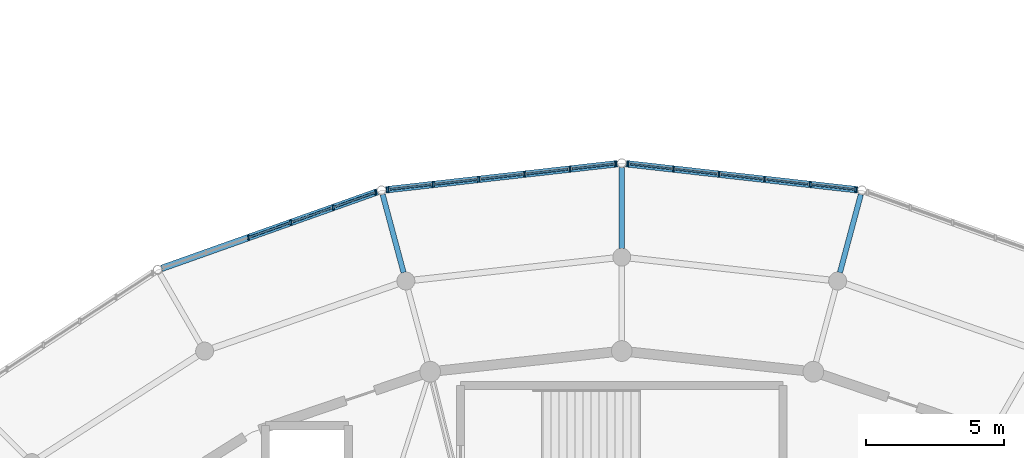
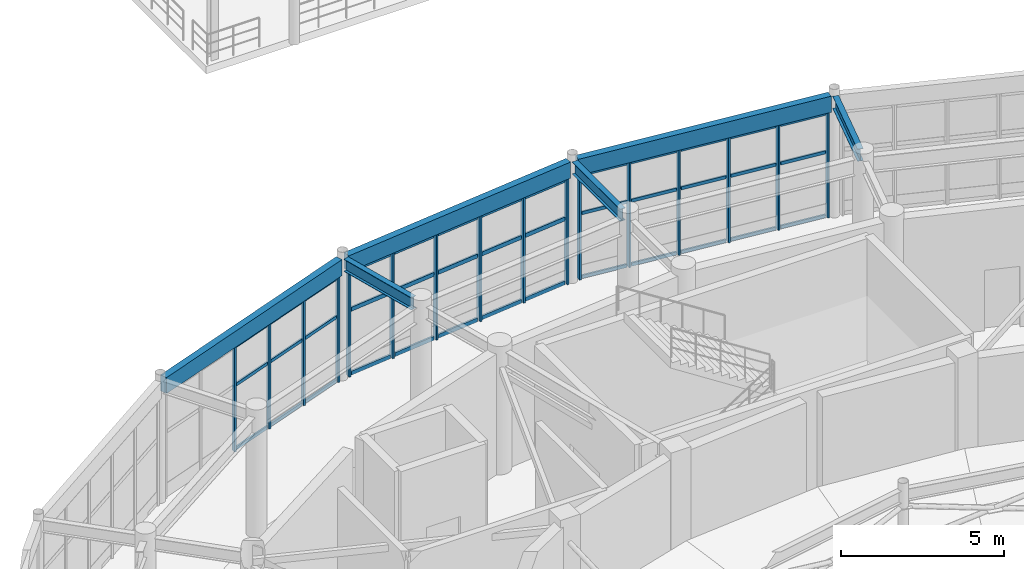
# One storey, part 60 of 144: 55 members, 6 beams, 3 elements without a shape of their own.
"""IFC4 building model written with IfcOpenShell, lengths in metres."""

from ifc_helpers import new_model, si_unit, direction, frame, origin, origin_2d, place, context, subcontext, project, spatial, rectangle, i_section, extrude, material, material_profile, profile_set, type_object, element, aggregate, save


model = new_model("IFC4")

# Units and contexts
model_context = context("Model", 3, precision=1e-05, world=origin(), true_north=direction((0.0, 1.0)))
body_context = subcontext(model_context, "Body", "Model", "MODEL_VIEW")
ifc_project = project(units=[si_unit("LENGTHUNIT", "METRE"), si_unit("AREAUNIT", "SQUARE_METRE"), si_unit("VOLUMEUNIT", "CUBIC_METRE"), si_unit("PLANEANGLEUNIT", "RADIAN"), si_unit("MASSUNIT", "GRAM", prefix="KILO")], contexts=[model_context])

# Site, building, storey
site_placement = place(None, origin())
site = spatial("IfcSite", under=ifc_project, at=site_placement, CompositionType="ELEMENT")
building_placement = place(site_placement, origin())
building = spatial("IfcBuilding", under=site, at=building_placement, Name="Cinderbank Siding Concert Hall", CompositionType="ELEMENT")
storey_placement = place(building_placement, frame((0.0, 0.0, 5.39990234375)))
storey = spatial("IfcBuildingStorey", under=building, at=storey_placement, Name="L02", CompositionType="ELEMENT", Elevation=5.39990234375)

# Beams
ifc_material_1 = material(Name="Structural steel AS/NZS 3679.1 Grade 350 (340 MPa)", Category="steel")
ifc_material_profile_1 = material_profile(ifc_material_1, i_section(OverallWidth=0.19091796875, OverallDepth=0.46044921875, WebThickness=0.010009765625, FlangeThickness=0.01611328125, at=origin_2d()), Name="460UB82.1", Category="LoadBearing")
ifc_profile_set_1 = profile_set([ifc_material_profile_1], Name="Structural steel AS/NZS 3679.1 Grade 350 (340 MPa)")
beam_type_1 = type_object("IfcBeamType", Name="BM-UB460H 460UB82.1", PredefinedType="BEAM", material=ifc_profile_set_1)
for number, where, z_axis, x_axis, name in (
    (1, (129.898193359375, 68.8408203125, 4.331787109375), (0.258897184534, 0.965904885504, 0.0), (-0.965904885504, 0.258897184534, 0.0), "L02 Beam BM-UB460H #526"),
    (2, (122.0, 69.717041015625, 4.331787109375), (0.0, 1.0, 0.0), (-1.0, 0.0, 0.0), "L02 Beam BM-UB460H #527"),
    (3, (114.101806640625, 68.8408203125, 4.331787109375), (-0.258897184534, 0.965904885504, 0.0), (-0.965904885504, -0.258897184534, 0.0), "L02 Beam BM-UB460H #528"),
):
    element("IfcBeam", number, at=place(storey_placement, frame(where, z_axis=z_axis, x_axis=x_axis)), inside=storey, type_object=beam_type_1, Name=name, PredefinedType="BEAM", context=body_context, shape_type="SweptSolid", body=[
        extrude(i_section(OverallWidth=0.19091796875, OverallDepth=0.46044921875, WebThickness=0.010009765625, FlangeThickness=0.01611328125, at=origin_2d()), origin(), (0.0, 0.0, 1.0), 2.928955078125),
    ])

# Curtain wall, members
ifc_material_2 = material(Name="Anodised aluminium alloy 6063-T6", Category="aluminium")
curtain_wall_type_1 = type_object("IfcCurtainWallType", Name="CW-06 Unitised Acoustic Curtain Wall 7600x3800", PredefinedType="NOTDEFINED", material=ifc_material_2)
curtain_wall_1_placement = place(storey_placement, origin())
curtain_wall_1 = element("IfcCurtainWall", 4, at=curtain_wall_1_placement, inside=storey, type_object=curtain_wall_type_1, Name="L02 Curtain Wall CW-06 #6", PredefinedType="NOTDEFINED")
ifc_material_profile_2 = material_profile(ifc_material_2, rectangle(XDim=0.06005859375, YDim=0.159912109375, at=origin_2d()), Name="ALU-MULL-60x160", Category="LoadBearing")
ifc_profile_set_2 = profile_set([ifc_material_profile_2], Name="Anodised aluminium alloy 6063-T6")
member_type_1 = type_object("IfcMemberType", Name="CW-ML1 Mullion 60x160", PredefinedType="MULLION", material=ifc_profile_set_2)
member_1_placement = place(storey_placement, frame((130.470703125, 71.843994140625, 0.0), z_axis=(0.0, 0.0, 1.0), x_axis=(1.0, 0.0, 0.0)))
member_1 = element("IfcMember", 5, at=member_1_placement, type_object=member_type_1, Name="CW-L02-006 Mullion 0", PredefinedType="MULLION", context=body_context, shape_type="SweptSolid", body=[
    extrude(rectangle(XDim=0.06005859375, YDim=0.159912109375, at=origin_2d()), origin(), (0.0, 0.0, 1.0), 3.947021484375),
])
member_2_placement = place(storey_placement, frame((128.82177734375, 72.0302734375, 0.0), z_axis=(0.0, 0.0, 1.0), x_axis=(1.0, 0.0, 0.0)))
member_2 = element("IfcMember", 6, at=member_2_placement, type_object=member_type_1, Name="CW-L02-006 Mullion 1", PredefinedType="MULLION", context=body_context, shape_type="SweptSolid", body=[
    extrude(rectangle(XDim=0.06005859375, YDim=0.159912109375, at=origin_2d()), origin(), (0.0, 0.0, 1.0), 3.947021484375),
])
member_3_placement = place(storey_placement, frame((127.172607421875, 72.21630859375, 0.0), z_axis=(0.0, 0.0, 1.0), x_axis=(1.0, 0.0, 0.0)))
member_3 = element("IfcMember", 7, at=member_3_placement, type_object=member_type_1, Name="CW-L02-006 Mullion 2", PredefinedType="MULLION", context=body_context, shape_type="SweptSolid", body=[
    extrude(rectangle(XDim=0.06005859375, YDim=0.159912109375, at=origin_2d()), origin(), (0.0, 0.0, 1.0), 3.947021484375),
])
member_4_placement = place(storey_placement, frame((125.523681640625, 72.40234375, 0.0), z_axis=(0.0, 0.0, 1.0), x_axis=(1.0, 0.0, 0.0)))
member_4 = element("IfcMember", 8, at=member_4_placement, type_object=member_type_1, Name="CW-L02-006 Mullion 3", PredefinedType="MULLION", context=body_context, shape_type="SweptSolid", body=[
    extrude(rectangle(XDim=0.06005859375, YDim=0.159912109375, at=origin_2d()), origin(), (0.0, 0.0, 1.0), 3.947021484375),
])
member_5_placement = place(storey_placement, frame((123.87451171875, 72.58837890625, 0.0), z_axis=(0.0, 0.0, 1.0), x_axis=(1.0, 0.0, 0.0)))
member_5 = element("IfcMember", 9, at=member_5_placement, type_object=member_type_1, Name="CW-L02-006 Mullion 4", PredefinedType="MULLION", context=body_context, shape_type="SweptSolid", body=[
    extrude(rectangle(XDim=0.06005859375, YDim=0.159912109375, at=origin_2d()), origin(), (0.0, 0.0, 1.0), 3.947021484375),
])
member_6_placement = place(storey_placement, frame((122.2255859375, 72.774658203125, 0.0), z_axis=(0.0, 0.0, 1.0), x_axis=(1.0, 0.0, 0.0)))
member_6 = element("IfcMember", 10, at=member_6_placement, type_object=member_type_1, Name="CW-L02-006 Mullion 5", PredefinedType="MULLION", context=body_context, shape_type="SweptSolid", body=[
    extrude(rectangle(XDim=0.06005859375, YDim=0.159912109375, at=origin_2d()), origin(), (0.0, 0.0, 1.0), 3.947021484375),
])

curtain_wall_type_2 = type_object("IfcCurtainWallType", Name="CW-08 Unitised Acoustic Curtain Wall 6400x3800", PredefinedType="NOTDEFINED", material=ifc_material_2)
curtain_wall_2_placement = place(storey_placement, origin())
curtain_wall_2 = element("IfcCurtainWall", 11, at=curtain_wall_2_placement, inside=storey, type_object=curtain_wall_type_2, Name="L02 Curtain Wall CW-08 #8", PredefinedType="NOTDEFINED")
member_7_placement = place(storey_placement, frame((113.08984375, 71.742919921875, 0.0), z_axis=(0.0, 0.0, 1.0), x_axis=(1.0, 0.0, 0.0)))
member_7 = element("IfcMember", 12, at=member_7_placement, type_object=member_type_1, Name="CW-L02-008 Mullion 0", PredefinedType="MULLION", context=body_context, shape_type="SweptSolid", body=[
    extrude(rectangle(XDim=0.06005859375, YDim=0.159912109375, at=origin_2d()), origin(), (0.0, 0.0, 1.0), 3.947021484375),
])
member_8_placement = place(storey_placement, frame((111.5546875, 71.19775390625, 0.0), z_axis=(0.0, 0.0, 1.0), x_axis=(1.0, 0.0, 0.0)))
member_8 = element("IfcMember", 13, at=member_8_placement, type_object=member_type_1, Name="CW-L02-008 Mullion 1", PredefinedType="MULLION", context=body_context, shape_type="SweptSolid", body=[
    extrude(rectangle(XDim=0.06005859375, YDim=0.159912109375, at=origin_2d()), origin(), (0.0, 0.0, 1.0), 3.947021484375),
])
member_9_placement = place(storey_placement, frame((110.019287109375, 70.652587890625, 0.0), z_axis=(0.0, 0.0, 1.0), x_axis=(1.0, 0.0, 0.0)))
member_9 = element("IfcMember", 14, at=member_9_placement, type_object=member_type_1, Name="CW-L02-008 Mullion 2", PredefinedType="MULLION", context=body_context, shape_type="SweptSolid", body=[
    extrude(rectangle(XDim=0.06005859375, YDim=0.159912109375, at=origin_2d()), origin(), (0.0, 0.0, 1.0), 3.947021484375),
])
member_10_placement = place(storey_placement, frame((108.484375, 70.107666015625, 0.0), z_axis=(0.0, 0.0, 1.0), x_axis=(1.0, 0.0, 0.0)))
member_10 = element("IfcMember", 15, at=member_10_placement, type_object=member_type_1, Name="CW-L02-008 Mullion 3", PredefinedType="MULLION", context=body_context, shape_type="SweptSolid", body=[
    extrude(rectangle(XDim=0.06005859375, YDim=0.159912109375, at=origin_2d()), origin(), (0.0, 0.0, 1.0), 3.947021484375),
])

curtain_wall_type_3 = type_object("IfcCurtainWallType", Name="CW-07 Unitised Acoustic Curtain Wall 7000x3800", PredefinedType="NOTDEFINED", material=ifc_material_2)
curtain_wall_3_placement = place(storey_placement, origin())
curtain_wall_3 = element("IfcCurtainWall", 16, at=curtain_wall_3_placement, inside=storey, type_object=curtain_wall_type_3, Name="L02 Curtain Wall CW-07 #7", PredefinedType="NOTDEFINED")
ifc_material_profile_3 = material_profile(ifc_material_2, rectangle(XDim=0.06494140625, YDim=0.199951171875, at=origin_2d()), Name="ALU-MULL-65x200", Category="LoadBearing")
ifc_profile_set_3 = profile_set([ifc_material_profile_3], Name="Anodised aluminium alloy 6063-T6")
member_type_2 = type_object("IfcMemberType", Name="CW-ML2 Mullion 65x200", PredefinedType="MULLION", material=ifc_profile_set_3)
member_11_placement = place(storey_placement, frame((121.7744140625, 72.774658203125, 0.0), z_axis=(0.0, 0.0, 1.0), x_axis=(1.0, 0.0, 0.0)))
member_11 = element("IfcMember", 17, at=member_11_placement, type_object=member_type_2, Name="CW-L02-007 Mullion 0", PredefinedType="MULLION", context=body_context, shape_type="SweptSolid", body=[
    extrude(rectangle(XDim=0.06494140625, YDim=0.199951171875, at=origin_2d()), origin(), (0.0, 0.0, 1.0), 3.947021484375),
])
member_12_placement = place(storey_placement, frame((120.12548828125, 72.58837890625, 0.0), z_axis=(0.0, 0.0, 1.0), x_axis=(1.0, 0.0, 0.0)))
member_12 = element("IfcMember", 18, at=member_12_placement, type_object=member_type_2, Name="CW-L02-007 Mullion 1", PredefinedType="MULLION", context=body_context, shape_type="SweptSolid", body=[
    extrude(rectangle(XDim=0.06494140625, YDim=0.199951171875, at=origin_2d()), origin(), (0.0, 0.0, 1.0), 3.947021484375),
])
member_13_placement = place(storey_placement, frame((118.476318359375, 72.40234375, 0.0), z_axis=(0.0, 0.0, 1.0), x_axis=(1.0, 0.0, 0.0)))
member_13 = element("IfcMember", 19, at=member_13_placement, type_object=member_type_2, Name="CW-L02-007 Mullion 2", PredefinedType="MULLION", context=body_context, shape_type="SweptSolid", body=[
    extrude(rectangle(XDim=0.06494140625, YDim=0.199951171875, at=origin_2d()), origin(), (0.0, 0.0, 1.0), 3.947021484375),
])
member_14_placement = place(storey_placement, frame((116.827392578125, 72.21630859375, 0.0), z_axis=(0.0, 0.0, 1.0), x_axis=(1.0, 0.0, 0.0)))
member_14 = element("IfcMember", 20, at=member_14_placement, type_object=member_type_2, Name="CW-L02-007 Mullion 3", PredefinedType="MULLION", context=body_context, shape_type="SweptSolid", body=[
    extrude(rectangle(XDim=0.06494140625, YDim=0.199951171875, at=origin_2d()), origin(), (0.0, 0.0, 1.0), 3.947021484375),
])
member_15_placement = place(storey_placement, frame((115.17822265625, 72.0302734375, 0.0), z_axis=(0.0, 0.0, 1.0), x_axis=(1.0, 0.0, 0.0)))
member_15 = element("IfcMember", 21, at=member_15_placement, type_object=member_type_2, Name="CW-L02-007 Mullion 4", PredefinedType="MULLION", context=body_context, shape_type="SweptSolid", body=[
    extrude(rectangle(XDim=0.06494140625, YDim=0.199951171875, at=origin_2d()), origin(), (0.0, 0.0, 1.0), 3.947021484375),
])
member_16_placement = place(storey_placement, frame((113.529296875, 71.843994140625, 0.0), z_axis=(0.0, 0.0, 1.0), x_axis=(1.0, 0.0, 0.0)))
member_16 = element("IfcMember", 22, at=member_16_placement, type_object=member_type_2, Name="CW-L02-007 Mullion 5", PredefinedType="MULLION", context=body_context, shape_type="SweptSolid", body=[
    extrude(rectangle(XDim=0.06494140625, YDim=0.199951171875, at=origin_2d()), origin(), (0.0, 0.0, 1.0), 3.947021484375),
])

# Member
ifc_material_profile_4 = material_profile(ifc_material_2, rectangle(XDim=0.06005859375, YDim=0.1201171875, at=origin_2d()), Name="ALU-TRAN-60x120", Category="LoadBearing")
ifc_profile_set_4 = profile_set([ifc_material_profile_4], Name="Anodised aluminium alloy 6063-T6")
member_type_3 = type_object("IfcMemberType", Name="CW-TR1 Transom 60x120", PredefinedType="USERDEFINED", material=ifc_profile_set_4)
member_17_placement = place(storey_placement, frame((130.38818359375, 71.853515625, 0.06005859375), z_axis=(-0.993690839164, 0.112153984151, 0.0), x_axis=(-0.112153984151, -0.993690839164, 0.0)))
member_17 = element("IfcMember", 23, at=member_17_placement, type_object=member_type_3, Name="CW-L02-006 Transom 0-0", ObjectType="TRANSOM", PredefinedType="USERDEFINED", context=body_context, shape_type="SweptSolid", body=[
    extrude(rectangle(XDim=0.06005859375, YDim=0.1201171875, at=origin_2d()), origin(), (0.0, 0.0, 1.0), 1.493408203125),
])

member_18_placement = place(storey_placement, frame((130.38818359375, 71.853515625, 2.447265625), z_axis=(-0.993690839164, 0.112153984151, 0.0), x_axis=(-0.112153984151, -0.993690839164, 0.0)))
member_18 = element("IfcMember", 24, at=member_18_placement, type_object=member_type_3, Name="CW-L02-006 Transom 0-1", ObjectType="TRANSOM", PredefinedType="USERDEFINED", context=body_context, shape_type="SweptSolid", body=[
    extrude(rectangle(XDim=0.06005859375, YDim=0.1201171875, at=origin_2d()), origin(), (0.0, 0.0, 1.0), 1.493408203125),
])

member_19_placement = place(storey_placement, frame((130.38818359375, 71.853515625, 3.88720703125), z_axis=(-0.993690839164, 0.112153984151, 0.0), x_axis=(-0.112153984151, -0.993690839164, 0.0)))
member_19 = element("IfcMember", 25, at=member_19_placement, type_object=member_type_3, Name="CW-L02-006 Transom 0-2", ObjectType="TRANSOM", PredefinedType="USERDEFINED", context=body_context, shape_type="SweptSolid", body=[
    extrude(rectangle(XDim=0.06005859375, YDim=0.1201171875, at=origin_2d()), origin(), (0.0, 0.0, 1.0), 1.493408203125),
])

member_20_placement = place(storey_placement, frame((128.7392578125, 72.03955078125, 0.06005859375), z_axis=(-0.993692895122, 0.112135766747, 0.0), x_axis=(-0.112135766747, -0.993692895122, 0.0)))
member_20 = element("IfcMember", 26, at=member_20_placement, type_object=member_type_3, Name="CW-L02-006 Transom 1-0", ObjectType="TRANSOM", PredefinedType="USERDEFINED", context=body_context, shape_type="SweptSolid", body=[
    extrude(rectangle(XDim=0.06005859375, YDim=0.1201171875, at=origin_2d()), origin(), (0.0, 0.0, 1.0), 1.49365234375),
])

member_21_placement = place(storey_placement, frame((128.7392578125, 72.03955078125, 2.447265625), z_axis=(-0.993692895122, 0.112135766747, 0.0), x_axis=(-0.112135766747, -0.993692895122, 0.0)))
member_21 = element("IfcMember", 27, at=member_21_placement, type_object=member_type_3, Name="CW-L02-006 Transom 1-1", ObjectType="TRANSOM", PredefinedType="USERDEFINED", context=body_context, shape_type="SweptSolid", body=[
    extrude(rectangle(XDim=0.06005859375, YDim=0.1201171875, at=origin_2d()), origin(), (0.0, 0.0, 1.0), 1.49365234375),
])

member_22_placement = place(storey_placement, frame((128.7392578125, 72.03955078125, 3.88720703125), z_axis=(-0.993692895122, 0.112135766747, 0.0), x_axis=(-0.112135766747, -0.993692895122, 0.0)))
member_22 = element("IfcMember", 28, at=member_22_placement, type_object=member_type_3, Name="CW-L02-006 Transom 1-2", ObjectType="TRANSOM", PredefinedType="USERDEFINED", context=body_context, shape_type="SweptSolid", body=[
    extrude(rectangle(XDim=0.06005859375, YDim=0.1201171875, at=origin_2d()), origin(), (0.0, 0.0, 1.0), 1.49365234375),
])

member_23_placement = place(storey_placement, frame((127.090087890625, 72.2255859375, 0.06005859375), z_axis=(-0.993690839164, 0.112153984151, 0.0), x_axis=(-0.112153984151, -0.993690839164, 0.0)))
member_23 = element("IfcMember", 29, at=member_23_placement, type_object=member_type_3, Name="CW-L02-006 Transom 2-0", ObjectType="TRANSOM", PredefinedType="USERDEFINED", context=body_context, shape_type="SweptSolid", body=[
    extrude(rectangle(XDim=0.06005859375, YDim=0.1201171875, at=origin_2d()), origin(), (0.0, 0.0, 1.0), 1.493408203125),
])

member_24_placement = place(storey_placement, frame((127.090087890625, 72.2255859375, 2.447265625), z_axis=(-0.993690839164, 0.112153984151, 0.0), x_axis=(-0.112153984151, -0.993690839164, 0.0)))
member_24 = element("IfcMember", 30, at=member_24_placement, type_object=member_type_3, Name="CW-L02-006 Transom 2-1", ObjectType="TRANSOM", PredefinedType="USERDEFINED", context=body_context, shape_type="SweptSolid", body=[
    extrude(rectangle(XDim=0.06005859375, YDim=0.1201171875, at=origin_2d()), origin(), (0.0, 0.0, 1.0), 1.493408203125),
])

member_25_placement = place(storey_placement, frame((127.090087890625, 72.2255859375, 3.88720703125), z_axis=(-0.993690839164, 0.112153984151, 0.0), x_axis=(-0.112153984151, -0.993690839164, 0.0)))
member_25 = element("IfcMember", 31, at=member_25_placement, type_object=member_type_3, Name="CW-L02-006 Transom 2-2", ObjectType="TRANSOM", PredefinedType="USERDEFINED", context=body_context, shape_type="SweptSolid", body=[
    extrude(rectangle(XDim=0.06005859375, YDim=0.1201171875, at=origin_2d()), origin(), (0.0, 0.0, 1.0), 1.493408203125),
])

member_26_placement = place(storey_placement, frame((125.441162109375, 72.41162109375, 0.06005859375), z_axis=(-0.993692895122, 0.112135766747, 0.0), x_axis=(-0.112135766747, -0.993692895122, 0.0)))
member_26 = element("IfcMember", 32, at=member_26_placement, type_object=member_type_3, Name="CW-L02-006 Transom 3-0", ObjectType="TRANSOM", PredefinedType="USERDEFINED", context=body_context, shape_type="SweptSolid", body=[
    extrude(rectangle(XDim=0.06005859375, YDim=0.1201171875, at=origin_2d()), origin(), (0.0, 0.0, 1.0), 1.49365234375),
])

member_27_placement = place(storey_placement, frame((125.441162109375, 72.41162109375, 2.447265625), z_axis=(-0.993692895122, 0.112135766747, 0.0), x_axis=(-0.112135766747, -0.993692895122, 0.0)))
member_27 = element("IfcMember", 33, at=member_27_placement, type_object=member_type_3, Name="CW-L02-006 Transom 3-1", ObjectType="TRANSOM", PredefinedType="USERDEFINED", context=body_context, shape_type="SweptSolid", body=[
    extrude(rectangle(XDim=0.06005859375, YDim=0.1201171875, at=origin_2d()), origin(), (0.0, 0.0, 1.0), 1.49365234375),
])

member_28_placement = place(storey_placement, frame((125.441162109375, 72.41162109375, 3.88720703125), z_axis=(-0.993692895122, 0.112135766747, 0.0), x_axis=(-0.112135766747, -0.993692895122, 0.0)))
member_28 = element("IfcMember", 34, at=member_28_placement, type_object=member_type_3, Name="CW-L02-006 Transom 3-2", ObjectType="TRANSOM", PredefinedType="USERDEFINED", context=body_context, shape_type="SweptSolid", body=[
    extrude(rectangle(XDim=0.06005859375, YDim=0.1201171875, at=origin_2d()), origin(), (0.0, 0.0, 1.0), 1.49365234375),
])

member_29_placement = place(storey_placement, frame((123.7919921875, 72.597900390625, 0.06005859375), z_axis=(-0.993709046729, 0.111992546398, 0.0), x_axis=(-0.111992546398, -0.993709046729, 0.0)))
member_29 = element("IfcMember", 35, at=member_29_placement, type_object=member_type_3, Name="CW-L02-006 Transom 4-0", ObjectType="TRANSOM", PredefinedType="USERDEFINED", context=body_context, shape_type="SweptSolid", body=[
    extrude(rectangle(XDim=0.06005859375, YDim=0.1201171875, at=origin_2d()), origin(), (0.0, 0.0, 1.0), 1.4931640625),
])

member_30_placement = place(storey_placement, frame((123.7919921875, 72.597900390625, 2.447265625), z_axis=(-0.993709046729, 0.111992546398, 0.0), x_axis=(-0.111992546398, -0.993709046729, 0.0)))
member_30 = element("IfcMember", 36, at=member_30_placement, type_object=member_type_3, Name="CW-L02-006 Transom 4-1", ObjectType="TRANSOM", PredefinedType="USERDEFINED", context=body_context, shape_type="SweptSolid", body=[
    extrude(rectangle(XDim=0.06005859375, YDim=0.1201171875, at=origin_2d()), origin(), (0.0, 0.0, 1.0), 1.4931640625),
])

member_31_placement = place(storey_placement, frame((123.7919921875, 72.597900390625, 3.88720703125), z_axis=(-0.993709046729, 0.111992546398, 0.0), x_axis=(-0.111992546398, -0.993709046729, 0.0)))
member_31 = element("IfcMember", 37, at=member_31_placement, type_object=member_type_3, Name="CW-L02-006 Transom 4-2", ObjectType="TRANSOM", PredefinedType="USERDEFINED", context=body_context, shape_type="SweptSolid", body=[
    extrude(rectangle(XDim=0.06005859375, YDim=0.1201171875, at=origin_2d()), origin(), (0.0, 0.0, 1.0), 1.4931640625),
])

aggregate(curtain_wall_1, [member_1, member_2, member_3, member_4, member_5, member_6, member_17, member_18, member_19, member_20, member_21, member_22, member_23, member_24, member_25, member_26, member_27, member_28, member_29, member_30, member_31])

member_32_placement = place(storey_placement, frame((113.01318359375, 71.715576171875, 0.06005859375), z_axis=(-0.942395579657, -0.334500480482, 0.0), x_axis=(0.334500480482, -0.942395579657, 0.0)))
member_32 = element("IfcMember", 38, at=member_32_placement, type_object=member_type_3, Name="CW-L02-008 Transom 0-0", ObjectType="TRANSOM", PredefinedType="USERDEFINED", context=body_context, shape_type="SweptSolid", body=[
    extrude(rectangle(XDim=0.06005859375, YDim=0.1201171875, at=origin_2d()), origin(), (0.0, 0.0, 1.0), 1.46630859375),
])

member_33_placement = place(storey_placement, frame((113.01318359375, 71.715576171875, 2.447265625), z_axis=(-0.942395579657, -0.334500480482, 0.0), x_axis=(0.334500480482, -0.942395579657, 0.0)))
member_33 = element("IfcMember", 39, at=member_33_placement, type_object=member_type_3, Name="CW-L02-008 Transom 0-1", ObjectType="TRANSOM", PredefinedType="USERDEFINED", context=body_context, shape_type="SweptSolid", body=[
    extrude(rectangle(XDim=0.06005859375, YDim=0.1201171875, at=origin_2d()), origin(), (0.0, 0.0, 1.0), 1.46630859375),
])

member_34_placement = place(storey_placement, frame((113.01318359375, 71.715576171875, 3.88720703125), z_axis=(-0.942395579657, -0.334500480482, 0.0), x_axis=(0.334500480482, -0.942395579657, 0.0)))
member_34 = element("IfcMember", 40, at=member_34_placement, type_object=member_type_3, Name="CW-L02-008 Transom 0-2", ObjectType="TRANSOM", PredefinedType="USERDEFINED", context=body_context, shape_type="SweptSolid", body=[
    extrude(rectangle(XDim=0.06005859375, YDim=0.1201171875, at=origin_2d()), origin(), (0.0, 0.0, 1.0), 1.46630859375),
])

member_35_placement = place(storey_placement, frame((111.477783203125, 71.17041015625, 0.06005859375), z_axis=(-0.942376945381, -0.334552974602, 0.0), x_axis=(0.334552974602, -0.942376945381, 0.0)))
member_35 = element("IfcMember", 41, at=member_35_placement, type_object=member_type_3, Name="CW-L02-008 Transom 1-0", ObjectType="TRANSOM", PredefinedType="USERDEFINED", context=body_context, shape_type="SweptSolid", body=[
    extrude(rectangle(XDim=0.06005859375, YDim=0.1201171875, at=origin_2d()), origin(), (0.0, 0.0, 1.0), 1.466064453125),
])

member_36_placement = place(storey_placement, frame((111.477783203125, 71.17041015625, 2.447265625), z_axis=(-0.942376945381, -0.334552974602, 0.0), x_axis=(0.334552974602, -0.942376945381, 0.0)))
member_36 = element("IfcMember", 42, at=member_36_placement, type_object=member_type_3, Name="CW-L02-008 Transom 1-1", ObjectType="TRANSOM", PredefinedType="USERDEFINED", context=body_context, shape_type="SweptSolid", body=[
    extrude(rectangle(XDim=0.06005859375, YDim=0.1201171875, at=origin_2d()), origin(), (0.0, 0.0, 1.0), 1.466064453125),
])

member_37_placement = place(storey_placement, frame((111.477783203125, 71.17041015625, 3.88720703125), z_axis=(-0.942376945381, -0.334552974602, 0.0), x_axis=(0.334552974602, -0.942376945381, 0.0)))
member_37 = element("IfcMember", 43, at=member_37_placement, type_object=member_type_3, Name="CW-L02-008 Transom 1-2", ObjectType="TRANSOM", PredefinedType="USERDEFINED", context=body_context, shape_type="SweptSolid", body=[
    extrude(rectangle(XDim=0.06005859375, YDim=0.1201171875, at=origin_2d()), origin(), (0.0, 0.0, 1.0), 1.466064453125),
])

member_38_placement = place(storey_placement, frame((109.942626953125, 70.62548828125, 0.06005859375), z_axis=(-0.942324434865, -0.334700850694, 0.0), x_axis=(0.334700850694, -0.942324434865, 0.0)))
member_38 = element("IfcMember", 44, at=member_38_placement, type_object=member_type_3, Name="CW-L02-008 Transom 2-0", ObjectType="TRANSOM", PredefinedType="USERDEFINED", context=body_context, shape_type="SweptSolid", body=[
    extrude(rectangle(XDim=0.06005859375, YDim=0.1201171875, at=origin_2d()), origin(), (0.0, 0.0, 1.0), 1.466064453125),
])

member_39_placement = place(storey_placement, frame((109.942626953125, 70.62548828125, 2.447265625), z_axis=(-0.942324434865, -0.334700850694, 0.0), x_axis=(0.334700850694, -0.942324434865, 0.0)))
member_39 = element("IfcMember", 45, at=member_39_placement, type_object=member_type_3, Name="CW-L02-008 Transom 2-1", ObjectType="TRANSOM", PredefinedType="USERDEFINED", context=body_context, shape_type="SweptSolid", body=[
    extrude(rectangle(XDim=0.06005859375, YDim=0.1201171875, at=origin_2d()), origin(), (0.0, 0.0, 1.0), 1.466064453125),
])

member_40_placement = place(storey_placement, frame((109.942626953125, 70.62548828125, 3.88720703125), z_axis=(-0.942324434865, -0.334700850694, 0.0), x_axis=(0.334700850694, -0.942324434865, 0.0)))
member_40 = element("IfcMember", 46, at=member_40_placement, type_object=member_type_3, Name="CW-L02-008 Transom 2-2", ObjectType="TRANSOM", PredefinedType="USERDEFINED", context=body_context, shape_type="SweptSolid", body=[
    extrude(rectangle(XDim=0.06005859375, YDim=0.1201171875, at=origin_2d()), origin(), (0.0, 0.0, 1.0), 1.466064453125),
])

aggregate(curtain_wall_2, [member_7, member_8, member_9, member_10, member_32, member_33, member_34, member_35, member_36, member_37, member_38, member_39, member_40])

ifc_material_profile_5 = material_profile(ifc_material_2, rectangle(XDim=0.06494140625, YDim=0.14990234375, at=origin_2d()), Name="ALU-TRAN-65x150", Category="LoadBearing")
ifc_profile_set_5 = profile_set([ifc_material_profile_5], Name="Anodised aluminium alloy 6063-T6")
member_type_4 = type_object("IfcMemberType", Name="CW-TR2 Transom 65x150", PredefinedType="USERDEFINED", material=ifc_profile_set_5)
member_41_placement = place(storey_placement, frame((121.69189453125, 72.76513671875, 0.06005859375), z_axis=(-0.993709046729, -0.111992546398, 0.0), x_axis=(0.111992546398, -0.993709046729, 0.0)))
member_41 = element("IfcMember", 47, at=member_41_placement, type_object=member_type_4, Name="CW-L02-007 Transom 0-0", ObjectType="TRANSOM", PredefinedType="USERDEFINED", context=body_context, shape_type="SweptSolid", body=[
    extrude(rectangle(XDim=0.06494140625, YDim=0.14990234375, at=origin_2d()), origin(), (0.0, 0.0, 1.0), 1.4931640625),
])

member_42_placement = place(storey_placement, frame((121.69189453125, 72.76513671875, 2.447265625), z_axis=(-0.993709046729, -0.111992546398, 0.0), x_axis=(0.111992546398, -0.993709046729, 0.0)))
member_42 = element("IfcMember", 48, at=member_42_placement, type_object=member_type_4, Name="CW-L02-007 Transom 0-1", ObjectType="TRANSOM", PredefinedType="USERDEFINED", context=body_context, shape_type="SweptSolid", body=[
    extrude(rectangle(XDim=0.06494140625, YDim=0.14990234375, at=origin_2d()), origin(), (0.0, 0.0, 1.0), 1.4931640625),
])

member_43_placement = place(storey_placement, frame((121.69189453125, 72.76513671875, 3.88720703125), z_axis=(-0.993709046729, -0.111992546398, 0.0), x_axis=(0.111992546398, -0.993709046729, 0.0)))
member_43 = element("IfcMember", 49, at=member_43_placement, type_object=member_type_4, Name="CW-L02-007 Transom 0-2", ObjectType="TRANSOM", PredefinedType="USERDEFINED", context=body_context, shape_type="SweptSolid", body=[
    extrude(rectangle(XDim=0.06494140625, YDim=0.14990234375, at=origin_2d()), origin(), (0.0, 0.0, 1.0), 1.4931640625),
])

member_44_placement = place(storey_placement, frame((120.04296875, 72.5791015625, 0.06005859375), z_axis=(-0.993692895122, -0.112135766747, 0.0), x_axis=(0.112135766747, -0.993692895122, 0.0)))
member_44 = element("IfcMember", 50, at=member_44_placement, type_object=member_type_4, Name="CW-L02-007 Transom 1-0", ObjectType="TRANSOM", PredefinedType="USERDEFINED", context=body_context, shape_type="SweptSolid", body=[
    extrude(rectangle(XDim=0.06494140625, YDim=0.14990234375, at=origin_2d()), origin(), (0.0, 0.0, 1.0), 1.49365234375),
])

member_45_placement = place(storey_placement, frame((120.04296875, 72.5791015625, 2.447265625), z_axis=(-0.993692895122, -0.112135766747, 0.0), x_axis=(0.112135766747, -0.993692895122, 0.0)))
member_45 = element("IfcMember", 51, at=member_45_placement, type_object=member_type_4, Name="CW-L02-007 Transom 1-1", ObjectType="TRANSOM", PredefinedType="USERDEFINED", context=body_context, shape_type="SweptSolid", body=[
    extrude(rectangle(XDim=0.06494140625, YDim=0.14990234375, at=origin_2d()), origin(), (0.0, 0.0, 1.0), 1.49365234375),
])

member_46_placement = place(storey_placement, frame((120.04296875, 72.5791015625, 3.88720703125), z_axis=(-0.993692895122, -0.112135766747, 0.0), x_axis=(0.112135766747, -0.993692895122, 0.0)))
member_46 = element("IfcMember", 52, at=member_46_placement, type_object=member_type_4, Name="CW-L02-007 Transom 1-2", ObjectType="TRANSOM", PredefinedType="USERDEFINED", context=body_context, shape_type="SweptSolid", body=[
    extrude(rectangle(XDim=0.06494140625, YDim=0.14990234375, at=origin_2d()), origin(), (0.0, 0.0, 1.0), 1.49365234375),
])

member_47_placement = place(storey_placement, frame((118.393798828125, 72.39306640625, 0.06005859375), z_axis=(-0.993690839164, -0.112153984151, 0.0), x_axis=(0.112153984151, -0.993690839164, 0.0)))
member_47 = element("IfcMember", 53, at=member_47_placement, type_object=member_type_4, Name="CW-L02-007 Transom 2-0", ObjectType="TRANSOM", PredefinedType="USERDEFINED", context=body_context, shape_type="SweptSolid", body=[
    extrude(rectangle(XDim=0.06494140625, YDim=0.14990234375, at=origin_2d()), origin(), (0.0, 0.0, 1.0), 1.493408203125),
])

member_48_placement = place(storey_placement, frame((118.393798828125, 72.39306640625, 2.447265625), z_axis=(-0.993690839164, -0.112153984151, 0.0), x_axis=(0.112153984151, -0.993690839164, 0.0)))
member_48 = element("IfcMember", 54, at=member_48_placement, type_object=member_type_4, Name="CW-L02-007 Transom 2-1", ObjectType="TRANSOM", PredefinedType="USERDEFINED", context=body_context, shape_type="SweptSolid", body=[
    extrude(rectangle(XDim=0.06494140625, YDim=0.14990234375, at=origin_2d()), origin(), (0.0, 0.0, 1.0), 1.493408203125),
])

member_49_placement = place(storey_placement, frame((118.393798828125, 72.39306640625, 3.88720703125), z_axis=(-0.993690839164, -0.112153984151, 0.0), x_axis=(0.112153984151, -0.993690839164, 0.0)))
member_49 = element("IfcMember", 55, at=member_49_placement, type_object=member_type_4, Name="CW-L02-007 Transom 2-2", ObjectType="TRANSOM", PredefinedType="USERDEFINED", context=body_context, shape_type="SweptSolid", body=[
    extrude(rectangle(XDim=0.06494140625, YDim=0.14990234375, at=origin_2d()), origin(), (0.0, 0.0, 1.0), 1.493408203125),
])

member_50_placement = place(storey_placement, frame((116.744873046875, 72.20703125, 0.06005859375), z_axis=(-0.993692895122, -0.112135766747, 0.0), x_axis=(0.112135766747, -0.993692895122, 0.0)))
member_50 = element("IfcMember", 56, at=member_50_placement, type_object=member_type_4, Name="CW-L02-007 Transom 3-0", ObjectType="TRANSOM", PredefinedType="USERDEFINED", context=body_context, shape_type="SweptSolid", body=[
    extrude(rectangle(XDim=0.06494140625, YDim=0.14990234375, at=origin_2d()), origin(), (0.0, 0.0, 1.0), 1.49365234375),
])

member_51_placement = place(storey_placement, frame((116.744873046875, 72.20703125, 2.447265625), z_axis=(-0.993692895122, -0.112135766747, 0.0), x_axis=(0.112135766747, -0.993692895122, 0.0)))
member_51 = element("IfcMember", 57, at=member_51_placement, type_object=member_type_4, Name="CW-L02-007 Transom 3-1", ObjectType="TRANSOM", PredefinedType="USERDEFINED", context=body_context, shape_type="SweptSolid", body=[
    extrude(rectangle(XDim=0.06494140625, YDim=0.14990234375, at=origin_2d()), origin(), (0.0, 0.0, 1.0), 1.49365234375),
])

member_52_placement = place(storey_placement, frame((116.744873046875, 72.20703125, 3.88720703125), z_axis=(-0.993692895122, -0.112135766747, 0.0), x_axis=(0.112135766747, -0.993692895122, 0.0)))
member_52 = element("IfcMember", 58, at=member_52_placement, type_object=member_type_4, Name="CW-L02-007 Transom 3-2", ObjectType="TRANSOM", PredefinedType="USERDEFINED", context=body_context, shape_type="SweptSolid", body=[
    extrude(rectangle(XDim=0.06494140625, YDim=0.14990234375, at=origin_2d()), origin(), (0.0, 0.0, 1.0), 1.49365234375),
])

member_53_placement = place(storey_placement, frame((115.095703125, 72.02099609375, 0.06005859375), z_axis=(-0.993690839164, -0.112153984151, 0.0), x_axis=(0.112153984151, -0.993690839164, 0.0)))
member_53 = element("IfcMember", 59, at=member_53_placement, type_object=member_type_4, Name="CW-L02-007 Transom 4-0", ObjectType="TRANSOM", PredefinedType="USERDEFINED", context=body_context, shape_type="SweptSolid", body=[
    extrude(rectangle(XDim=0.06494140625, YDim=0.14990234375, at=origin_2d()), origin(), (0.0, 0.0, 1.0), 1.493408203125),
])

member_54_placement = place(storey_placement, frame((115.095703125, 72.02099609375, 2.447265625), z_axis=(-0.993690839164, -0.112153984151, 0.0), x_axis=(0.112153984151, -0.993690839164, 0.0)))
member_54 = element("IfcMember", 60, at=member_54_placement, type_object=member_type_4, Name="CW-L02-007 Transom 4-1", ObjectType="TRANSOM", PredefinedType="USERDEFINED", context=body_context, shape_type="SweptSolid", body=[
    extrude(rectangle(XDim=0.06494140625, YDim=0.14990234375, at=origin_2d()), origin(), (0.0, 0.0, 1.0), 1.493408203125),
])

member_55_placement = place(storey_placement, frame((115.095703125, 72.02099609375, 3.88720703125), z_axis=(-0.993690839164, -0.112153984151, 0.0), x_axis=(0.112153984151, -0.993690839164, 0.0)))
member_55 = element("IfcMember", 61, at=member_55_placement, type_object=member_type_4, Name="CW-L02-007 Transom 4-2", ObjectType="TRANSOM", PredefinedType="USERDEFINED", context=body_context, shape_type="SweptSolid", body=[
    extrude(rectangle(XDim=0.06494140625, YDim=0.14990234375, at=origin_2d()), origin(), (0.0, 0.0, 1.0), 1.493408203125),
])

aggregate(curtain_wall_3, [member_11, member_12, member_13, member_14, member_15, member_16, member_41, member_42, member_43, member_44, member_45, member_46, member_47, member_48, member_49, member_50, member_51, member_52, member_53, member_54, member_55])

# Beams
ifc_material_3 = material(Name="Spotted gum glulam timber GL18 (42 MPa)", Category="wood")
ifc_material_profile_6 = material_profile(ifc_material_3, rectangle(XDim=0.239990234375, YDim=0.60009765625, at=origin_2d()), Name="GL18-240x600", Category="LoadBearing")
ifc_profile_set_6 = profile_set([ifc_material_profile_6], Name="Spotted gum glulam timber GL18 (42 MPa)")
beam_type_2 = type_object("IfcBeamType", Name="SP-GL600 GL18-240x600", PredefinedType="SPANDREL", material=ifc_profile_set_6)
for number, where, z_axis, x_axis, name in (
    (62, (130.543212890625, 71.8359375, 4.26220703125), (-0.993693273547, 0.112132413281, 0.0), (-0.112132413281, -0.993693273547, 0.0), "L02 Beam SP-GL600 #469"),
    (63, (121.846923828125, 72.78271484375, 4.26220703125), (-0.993693273547, -0.112132413281, 0.0), (0.112132413281, -0.993693273547, 0.0), "L02 Beam SP-GL600 #470"),
):
    element("IfcBeam", number, at=place(storey_placement, frame(where, z_axis=z_axis, x_axis=x_axis)), inside=storey, type_object=beam_type_2, Name=name, PredefinedType="SPANDREL", context=body_context, shape_type="SweptSolid", body=[
        extrude(rectangle(XDim=0.239990234375, YDim=0.60009765625, at=origin_2d()), origin(), (0.0, 0.0, 1.0), 8.443359375),
    ])
beam_placement = place(storey_placement, frame((113.15869140625, 71.76708984375, 4.26220703125), z_axis=(-0.942365164676, -0.334586156924, 0.0), x_axis=(0.334586156924, -0.942365164676, 0.0)))
element("IfcBeam", 64, at=beam_placement, inside=storey, type_object=beam_type_2, Name="L02 Beam SP-GL600 #471", PredefinedType="SPANDREL", context=body_context, shape_type="SweptSolid", body=[
    extrude(rectangle(XDim=0.239990234375, YDim=0.60009765625, at=origin_2d()), origin(), (0.0, 0.0, 1.0), 8.291259765625),
])

save(model, "model.ifc")
